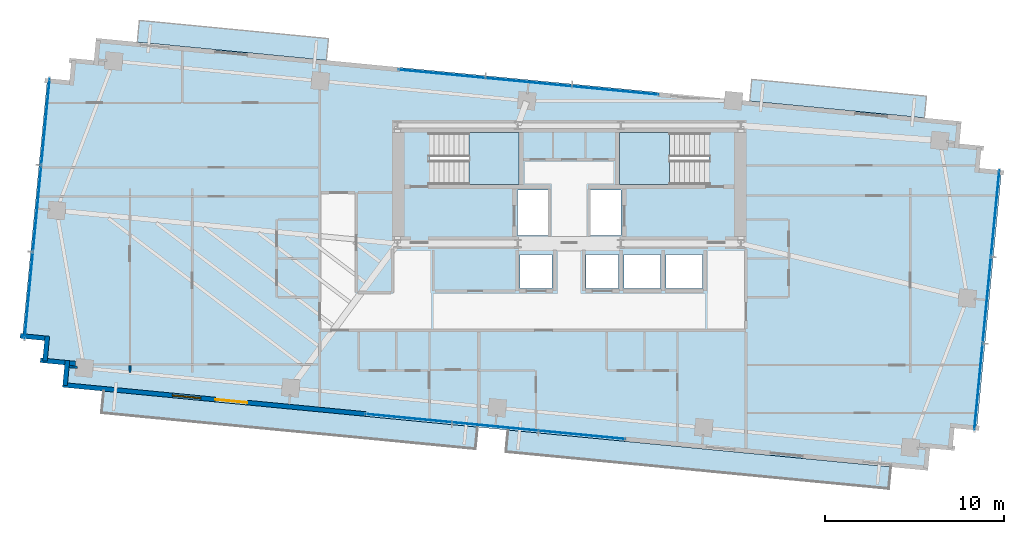
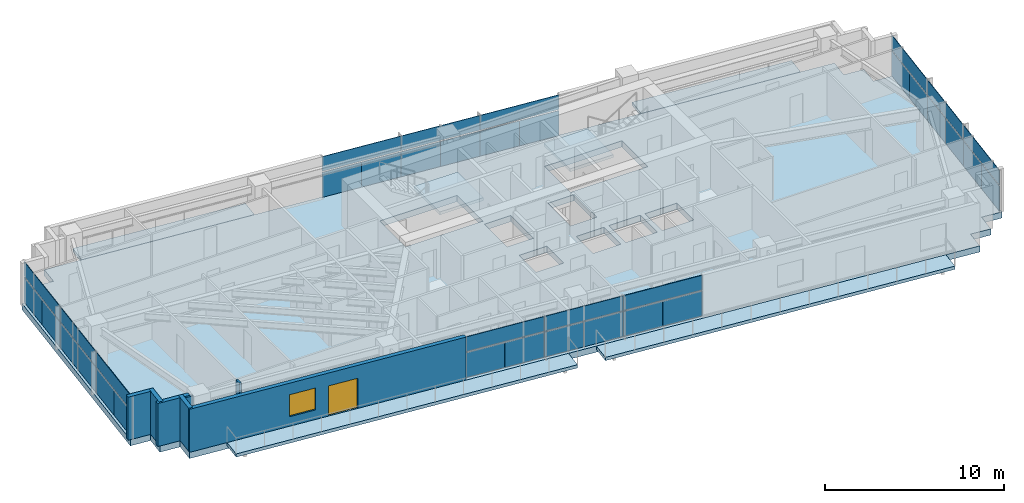
# One storey, part 13 of 19: 36 plates, 7 slabs, 7 walls, 1 door, 1 window, 2 openings, 6 elements without a shape of their own.
"""IFC4 building model written with IfcOpenShell, lengths in metres."""

from ifc_helpers import new_model, si_unit, direction, frame, frame_2d, origin, origin_2d, place, context, subcontext, project, spatial, polyline, rectangle, outline, extrude, source, transform, mapped, material, layer, layer_set, type_object, type_shapes, element, fill, aggregate, save


model = new_model("IFC4")

# Units and contexts
model_context = context("Model", 3, precision=1e-05, world=origin(), true_north=direction((0.0, 1.0)))
body_context = subcontext(model_context, "Body", "Model", "MODEL_VIEW")
ifc_project = project(units=[si_unit("LENGTHUNIT", "METRE"), si_unit("AREAUNIT", "SQUARE_METRE"), si_unit("VOLUMEUNIT", "CUBIC_METRE"), si_unit("PLANEANGLEUNIT", "RADIAN"), si_unit("MASSUNIT", "GRAM", prefix="KILO")], contexts=[model_context])

# Site, building, storey
site_placement = place(None, origin())
site = spatial("IfcSite", under=ifc_project, at=site_placement, CompositionType="ELEMENT")
building_placement = place(site_placement, origin())
building = spatial("IfcBuilding", under=site, at=building_placement, Name="Astriad Promenade Condominiums", CompositionType="ELEMENT")
storey_placement = place(building_placement, frame((0.0, 0.0, 124.60009765625)))
storey = spatial("IfcBuildingStorey", under=building, at=storey_placement, Name="L35", CompositionType="ELEMENT", Elevation=124.60009765625)

# Slab
ifc_material_1 = material(Name="Concrete C60/75", Category="concrete")
ifc_layer_1 = layer(ifc_material_1, 0.419921875)
ifc_layer_set_1 = layer_set([ifc_layer_1], Name="Concrete C60/75")
slab_type_1 = type_object("IfcSlabType", Name="CONCRETE TRANSFER FLOOR SLAB 420", PredefinedType="FLOOR", material=ifc_layer_set_1)
slab_1_placement = place(storey_placement, frame((0.0, 0.0, -0.420166015625)))
element("IfcSlab", 1, at=slab_1_placement, inside=storey, type_object=slab_type_1, Name="Structural Floor Slab (L35)", PredefinedType="FLOOR", context=body_context, shape_type="SweptSolid", body=[
    extrude(outline(polyline([(7.672607421875, 9.374267578125), (56.048828125, 4.716064453125), (56.168701171875, 5.960205078125), (57.412841796875, 5.840576171875), (57.53271484375, 7.084716796875), (58.77685546875, 6.96484375), (60.17626953125, 21.497802734375), (58.931884765625, 21.617431640625), (59.052001953125, 22.86181640625), (57.8076171875, 22.981689453125), (57.927490234375, 24.225830078125), (9.55126953125, 28.8837890625), (9.431396484375, 27.6396484375), (8.18701171875, 27.759521484375), (8.0673828125, 26.515380859375), (6.822998046875, 26.635009765625), (5.423583984375, 12.102294921875), (6.66796875, 11.982421875), (6.548095703125, 10.73828125), (7.79248046875, 10.618408203125), (7.672607421875, 9.374267578125)]), holes=[polyline([(28.175048828125, 20.699951171875), (33.175048828125, 20.699951171875), (33.175048828125, 23.60009765625), (28.175048828125, 23.60009765625), (28.175048828125, 20.699951171875)]), polyline([(38.824951171875, 20.699951171875), (43.824951171875, 20.699951171875), (43.824951171875, 23.60009765625), (38.824951171875, 23.60009765625), (38.824951171875, 20.699951171875)]), polyline([(33.10009765625, 17.85009765625), (34.800048828125, 17.85009765625), (34.800048828125, 20.39990234375), (33.10009765625, 20.39990234375), (33.10009765625, 17.85009765625)]), polyline([(37.199951171875, 17.85009765625), (38.89990234375, 17.85009765625), (38.89990234375, 20.39990234375), (37.199951171875, 20.39990234375), (37.199951171875, 17.85009765625)]), polyline([(33.25, 14.89990234375), (35.050048828125, 14.89990234375), (35.050048828125, 16.800048828125), (33.25, 16.800048828125), (33.25, 14.89990234375)]), polyline([(36.949951171875, 14.89990234375), (38.75, 14.89990234375), (38.75, 16.800048828125), (36.949951171875, 16.800048828125), (36.949951171875, 14.89990234375)]), polyline([(39.050048828125, 14.89990234375), (41.10009765625, 14.89990234375), (41.10009765625, 16.800048828125), (39.050048828125, 16.800048828125), (39.050048828125, 14.89990234375)]), polyline([(41.39990234375, 14.89990234375), (43.449951171875, 14.89990234375), (43.449951171875, 16.800048828125), (41.39990234375, 16.800048828125), (41.39990234375, 14.89990234375)])]), origin(), (0.0, 0.0, 1.0), 0.420166015625),
])

# Stair, slab
ifc_material_2 = material(Name="Concrete C50/60", Category="concrete")
stair_type = type_object("IfcStairType", Name="STR-CORE-1350", PredefinedType="HALF_TURN_STAIR", material=ifc_material_2)
stair_1_placement = place(storey_placement, origin())
stair_1 = element("IfcStair", 2, at=stair_1_placement, inside=storey, type_object=stair_type, Name="L35 Enclosed Core Exit Stair ST-1", PredefinedType="HALF_TURN_STAIR")
ifc_layer_2 = layer(ifc_material_2, 0.219970703125)
ifc_layer_set_2 = layer_set([ifc_layer_2], Name="Concrete C50/60")
slab_type_2 = type_object("IfcSlabType", Name="SLB-LANDING-220", PredefinedType="LANDING", material=ifc_layer_set_2)
slab_2_placement = place(storey_placement, frame((0.0, 0.0, 1.39990234375)))
slab_2 = element("IfcSlab", 3, at=slab_2_placement, type_object=slab_type_2, Name="ST-1 landing 1", PredefinedType="LANDING", context=body_context, shape_type="SweptSolid", body=[
    extrude(outline(polyline([(30.389892578125, 20.699951171875), (33.199951171875, 20.699951171875), (33.199951171875, 23.60009765625), (30.389892578125, 23.60009765625), (30.389892578125, 20.699951171875)])), origin(), (0.0, 0.0, 1.0), 0.199951171875),
])
aggregate(stair_1, [slab_2])

stair_2_placement = place(storey_placement, origin())
stair_2 = element("IfcStair", 4, at=stair_2_placement, inside=storey, type_object=stair_type, Name="L35 Enclosed Core Exit Stair ST-2", PredefinedType="HALF_TURN_STAIR")
slab_3_placement = place(storey_placement, frame((0.0, 0.0, 1.39990234375)))
slab_3 = element("IfcSlab", 5, at=slab_3_placement, type_object=slab_type_2, Name="ST-2 landing 1", PredefinedType="LANDING", context=body_context, shape_type="SweptSolid", body=[
    extrude(outline(polyline([(41.610107421875, 23.60009765625), (38.800048828125, 23.60009765625), (38.800048828125, 20.699951171875), (41.610107421875, 20.699951171875), (41.610107421875, 23.60009765625)])), origin(), (0.0, 0.0, 1.0), 0.199951171875),
])
aggregate(stair_2, [slab_3])

# Slabs
ifc_material_3 = material(Name="Precast concrete C50/60", Category="concrete")
ifc_layer_3 = layer(ifc_material_3, 0.219970703125)
ifc_layer_set_3 = layer_set([ifc_layer_3], Name="Precast concrete C50/60")
slab_type_3 = type_object("IfcSlabType", Name="WHITE PRECAST CONCRETE WAVE BALCONY SLAB 220", PredefinedType="FLOOR", material=ifc_layer_set_3)
slab_4_placement = place(storey_placement, frame((0.0, 0.0, -0.22021484375)))
element("IfcSlab", 6, at=slab_4_placement, inside=storey, type_object=slab_type_3, Name="White Precast Wave Balcony Slab BAL-L35-SW", PredefinedType="FLOOR", context=body_context, shape_type="SweptSolid", body=[
    extrude(outline(polyline([(9.85595703125, 7.938232421875), (30.75439453125, 5.926025390625), (30.871337890625, 7.140380859375), (9.972900390625, 9.152587890625), (9.85595703125, 7.938232421875)])), origin(), (0.0, 0.0, 1.0), 0.22021484375),
])
slab_5_placement = place(storey_placement, frame((0.0, 0.0, -0.22021484375)))
element("IfcSlab", 7, at=slab_5_placement, inside=storey, type_object=slab_type_3, Name="White Precast Wave Balcony Slab BAL-L35-SE", PredefinedType="FLOOR", context=body_context, shape_type="SweptSolid", body=[
    extrude(outline(polyline([(32.46240234375, 5.761474609375), (53.8583984375, 3.701416015625), (53.975341796875, 4.915771484375), (32.579345703125, 6.975830078125), (32.46240234375, 5.761474609375)])), origin(), (0.0, 0.0, 1.0), 0.22021484375),
])
slab_6_placement = place(storey_placement, frame((0.0, 0.0, -0.22021484375)))
element("IfcSlab", 8, at=slab_6_placement, inside=storey, type_object=slab_type_3, Name="White Precast Wave Balcony Slab BAL-L35-NW", PredefinedType="FLOOR", context=body_context, shape_type="SweptSolid", body=[
    extrude(outline(polyline([(11.968505859375, 29.876708984375), (22.53857421875, 28.85888671875), (22.421875, 27.646484375), (11.851806640625, 28.664306640625), (11.968505859375, 29.876708984375)])), origin(), (0.0, 0.0, 1.0), 0.22021484375),
])
slab_7_placement = place(storey_placement, frame((0.0, 0.0, -0.22021484375)))
element("IfcSlab", 9, at=slab_7_placement, inside=storey, type_object=slab_type_3, Name="White Precast Wave Balcony Slab BAL-L35-NE", PredefinedType="FLOOR", context=body_context, shape_type="SweptSolid", body=[
    extrude(outline(polyline([(46.208984375, 26.579833984375), (55.970947265625, 25.639892578125), (55.854248046875, 24.427490234375), (46.09228515625, 25.367431640625), (46.208984375, 26.579833984375)])), origin(), (0.0, 0.0, 1.0), 0.22021484375),
])

# Curtain wall, plates
ifc_material_4 = material(Name="Anodised aluminium Black Dark Glass Unitised", Category="aluminium")
curtain_wall_type = type_object("IfcCurtainWallType", Name="CW-B34-DARK", PredefinedType="USERDEFINED", material=ifc_material_4)
curtain_wall_1_placement = place(storey_placement, origin())
curtain_wall_1 = element("IfcCurtainWall", 10, at=curtain_wall_1_placement, inside=storey, type_object=curtain_wall_type, Name="CW-L35-W", ObjectType="UNITISED_CURTAIN_WALL", PredefinedType="USERDEFINED")
ifc_material_5 = material(Name="Dark Tinted Low-E Laminated Glass", Category="glass")
ifc_layer_4 = layer(ifc_material_5, 0.035888671875)
ifc_layer_set_4 = layer_set([ifc_layer_4], Name="Dark Tinted Low-E Laminated Glass")
plate_type = type_object("IfcPlateType", Name="PNL-DARK-GLASS-36", PredefinedType="CURTAIN_PANEL", material=ifc_layer_set_4)
shared_shape_1 = source(origin(), body_context, "Body", "SweptSolid", [
    extrude(rectangle(XDim=2.42138671875, YDim=0.035888671875, at=origin_2d()), origin(), (0.0, 0.0, 1.0), 1.702880859375),
])
plate_1_placement = place(storey_placement, frame((5.669677734375, 13.30078125, 0.080078125), z_axis=(0.0, 0.0, 1.0), x_axis=(0.09584575252, 0.995396198367, 0.0)))
plate_1 = element("IfcPlate", 11, at=plate_1_placement, type_object=plate_type, Name="CW-L35-W-PNL-00-VL", PredefinedType="CURTAIN_PANEL", context=body_context, shape_type="MappedRepresentation", body=[
    mapped(shared_shape_1, transform((0.0, 0.0, 0.0), scale=1.0)),
])
plate_2_placement = place(storey_placement, frame((5.903076171875, 15.722900390625, 0.080078125), z_axis=(0.0, 0.0, 1.0), x_axis=(0.09584575252, 0.995396198367, 0.0)))
plate_2 = element("IfcPlate", 12, at=plate_2_placement, type_object=plate_type, Name="CW-L35-W-PNL-00-VR", PredefinedType="CURTAIN_PANEL", context=body_context, shape_type="MappedRepresentation", body=[
    mapped(shared_shape_1, transform((0.0, 0.0, 0.0), scale=1.0)),
])
plate_3_placement = place(storey_placement, frame((6.13623046875, 18.145263671875, 0.080078125), z_axis=(0.0, 0.0, 1.0), x_axis=(0.09584575252, 0.995396198367, 0.0)))
plate_3 = element("IfcPlate", 13, at=plate_3_placement, type_object=plate_type, Name="CW-L35-W-PNL-01-VL", PredefinedType="CURTAIN_PANEL", context=body_context, shape_type="MappedRepresentation", body=[
    mapped(shared_shape_1, transform((0.0, 0.0, 0.0), scale=1.0)),
])
plate_4_placement = place(storey_placement, frame((6.369384765625, 20.5673828125, 0.080078125), z_axis=(0.0, 0.0, 1.0), x_axis=(0.09584575252, 0.995396198367, 0.0)))
plate_4 = element("IfcPlate", 14, at=plate_4_placement, type_object=plate_type, Name="CW-L35-W-PNL-01-VR", PredefinedType="CURTAIN_PANEL", context=body_context, shape_type="MappedRepresentation", body=[
    mapped(shared_shape_1, transform((0.0, 0.0, 0.0), scale=1.0)),
])
plate_5_placement = place(storey_placement, frame((6.6025390625, 22.989501953125, 0.080078125), z_axis=(0.0, 0.0, 1.0), x_axis=(0.09584575252, 0.995396198367, 0.0)))
plate_5 = element("IfcPlate", 15, at=plate_5_placement, type_object=plate_type, Name="CW-L35-W-PNL-02-VL", PredefinedType="CURTAIN_PANEL", context=body_context, shape_type="MappedRepresentation", body=[
    mapped(shared_shape_1, transform((0.0, 0.0, 0.0), scale=1.0)),
])
plate_6_placement = place(storey_placement, frame((6.8359375, 25.41162109375, 0.080078125), z_axis=(0.0, 0.0, 1.0), x_axis=(0.09584575252, 0.995396198367, 0.0)))
plate_6 = element("IfcPlate", 16, at=plate_6_placement, type_object=plate_type, Name="CW-L35-W-PNL-02-VR", PredefinedType="CURTAIN_PANEL", context=body_context, shape_type="MappedRepresentation", body=[
    mapped(shared_shape_1, transform((0.0, 0.0, 0.0), scale=1.0)),
])

curtain_wall_2_placement = place(storey_placement, origin())
curtain_wall_2 = element("IfcCurtainWall", 17, at=curtain_wall_2_placement, inside=storey, type_object=curtain_wall_type, Name="CW-L35-E", ObjectType="UNITISED_CURTAIN_WALL", PredefinedType="USERDEFINED")
plate_7_placement = place(storey_placement, frame((59.930419921875, 20.299072265625, 0.080078125), z_axis=(0.0, 0.0, 1.0), x_axis=(-0.09584575252, -0.995396198367, 0.0)))
plate_7 = element("IfcPlate", 18, at=plate_7_placement, type_object=plate_type, Name="CW-L35-E-PNL-00-VL", PredefinedType="CURTAIN_PANEL", context=body_context, shape_type="MappedRepresentation", body=[
    mapped(shared_shape_1, transform((0.0, 0.0, 0.0), scale=1.0)),
])
plate_8_placement = place(storey_placement, frame((59.697021484375, 17.876953125, 0.080078125), z_axis=(0.0, 0.0, 1.0), x_axis=(-0.09584575252, -0.995396198367, 0.0)))
plate_8 = element("IfcPlate", 19, at=plate_8_placement, type_object=plate_type, Name="CW-L35-E-PNL-00-VR", PredefinedType="CURTAIN_PANEL", context=body_context, shape_type="MappedRepresentation", body=[
    mapped(shared_shape_1, transform((0.0, 0.0, 0.0), scale=1.0)),
])
plate_9_placement = place(storey_placement, frame((59.4638671875, 15.454833984375, 0.080078125), z_axis=(0.0, 0.0, 1.0), x_axis=(-0.09584575252, -0.995396198367, 0.0)))
plate_9 = element("IfcPlate", 20, at=plate_9_placement, type_object=plate_type, Name="CW-L35-E-PNL-01-VL", PredefinedType="CURTAIN_PANEL", context=body_context, shape_type="MappedRepresentation", body=[
    mapped(shared_shape_1, transform((0.0, 0.0, 0.0), scale=1.0)),
])
plate_10_placement = place(storey_placement, frame((59.230712890625, 13.03271484375, 0.080078125), z_axis=(0.0, 0.0, 1.0), x_axis=(-0.09584575252, -0.995396198367, 0.0)))
plate_10 = element("IfcPlate", 21, at=plate_10_placement, type_object=plate_type, Name="CW-L35-E-PNL-01-VR", PredefinedType="CURTAIN_PANEL", context=body_context, shape_type="MappedRepresentation", body=[
    mapped(shared_shape_1, transform((0.0, 0.0, 0.0), scale=1.0)),
])
plate_11_placement = place(storey_placement, frame((58.997314453125, 10.610595703125, 0.080078125), z_axis=(0.0, 0.0, 1.0), x_axis=(-0.09584575252, -0.995396198367, 0.0)))
plate_11 = element("IfcPlate", 22, at=plate_11_placement, type_object=plate_type, Name="CW-L35-E-PNL-02-VL", PredefinedType="CURTAIN_PANEL", context=body_context, shape_type="MappedRepresentation", body=[
    mapped(shared_shape_1, transform((0.0, 0.0, 0.0), scale=1.0)),
])
plate_12_placement = place(storey_placement, frame((58.76416015625, 8.1884765625, 0.080078125), z_axis=(0.0, 0.0, 1.0), x_axis=(-0.09584575252, -0.995396198367, 0.0)))
plate_12 = element("IfcPlate", 23, at=plate_12_placement, type_object=plate_type, Name="CW-L35-E-PNL-02-VR", PredefinedType="CURTAIN_PANEL", context=body_context, shape_type="MappedRepresentation", body=[
    mapped(shared_shape_1, transform((0.0, 0.0, 0.0), scale=1.0)),
])

# Plate
shared_shape_2 = source(origin(), body_context, "Body", "SweptSolid", [
    extrude(rectangle(XDim=4.854736328125, YDim=0.035888671875, at=origin_2d()), origin(), (0.0, 0.0, 1.0), 0.997314453125),
])
plate_13_placement = place(storey_placement, frame((5.786376953125, 14.511962890625, 1.86279296875), z_axis=(0.0, 0.0, 1.0), x_axis=(0.09584575252, 0.995396198367, 0.0)))
plate_13 = element("IfcPlate", 24, at=plate_13_placement, type_object=plate_type, Name="CW-L35-W-PNL-00-S", PredefinedType="CURTAIN_PANEL", context=body_context, shape_type="MappedRepresentation", body=[
    mapped(shared_shape_2, transform((0.0, 0.0, 0.0), scale=1.0)),
])

plate_14_placement = place(storey_placement, frame((6.252685546875, 19.356201171875, 1.86279296875), z_axis=(0.0, 0.0, 1.0), x_axis=(0.09584575252, 0.995396198367, 0.0)))
plate_14 = element("IfcPlate", 25, at=plate_14_placement, type_object=plate_type, Name="CW-L35-W-PNL-01-S", PredefinedType="CURTAIN_PANEL", context=body_context, shape_type="MappedRepresentation", body=[
    mapped(shared_shape_2, transform((0.0, 0.0, 0.0), scale=1.0)),
])

plate_15_placement = place(storey_placement, frame((6.71923828125, 24.200439453125, 1.86279296875), z_axis=(0.0, 0.0, 1.0), x_axis=(0.09584575252, 0.995396198367, 0.0)))
plate_15 = element("IfcPlate", 26, at=plate_15_placement, type_object=plate_type, Name="CW-L35-W-PNL-02-S", PredefinedType="CURTAIN_PANEL", context=body_context, shape_type="MappedRepresentation", body=[
    mapped(shared_shape_2, transform((0.0, 0.0, 0.0), scale=1.0)),
])

aggregate(curtain_wall_1, [plate_1, plate_2, plate_13, plate_3, plate_4, plate_14, plate_5, plate_6, plate_15])

plate_16_placement = place(storey_placement, frame((59.813720703125, 19.088134765625, 1.86279296875), z_axis=(0.0, 0.0, 1.0), x_axis=(-0.09584575252, -0.995396198367, 0.0)))
plate_16 = element("IfcPlate", 27, at=plate_16_placement, type_object=plate_type, Name="CW-L35-E-PNL-00-S", PredefinedType="CURTAIN_PANEL", context=body_context, shape_type="MappedRepresentation", body=[
    mapped(shared_shape_2, transform((0.0, 0.0, 0.0), scale=1.0)),
])

plate_17_placement = place(storey_placement, frame((59.34716796875, 14.243896484375, 1.86279296875), z_axis=(0.0, 0.0, 1.0), x_axis=(-0.09584575252, -0.995396198367, 0.0)))
plate_17 = element("IfcPlate", 28, at=plate_17_placement, type_object=plate_type, Name="CW-L35-E-PNL-01-S", PredefinedType="CURTAIN_PANEL", context=body_context, shape_type="MappedRepresentation", body=[
    mapped(shared_shape_2, transform((0.0, 0.0, 0.0), scale=1.0)),
])

plate_18_placement = place(storey_placement, frame((58.880615234375, 9.3994140625, 1.86279296875), z_axis=(0.0, 0.0, 1.0), x_axis=(-0.09584575252, -0.995396198367, 0.0)))
plate_18 = element("IfcPlate", 29, at=plate_18_placement, type_object=plate_type, Name="CW-L35-E-PNL-02-S", PredefinedType="CURTAIN_PANEL", context=body_context, shape_type="MappedRepresentation", body=[
    mapped(shared_shape_2, transform((0.0, 0.0, 0.0), scale=1.0)),
])

aggregate(curtain_wall_2, [plate_7, plate_8, plate_16, plate_9, plate_10, plate_17, plate_11, plate_12, plate_18])

# Curtain wall, plates
curtain_wall_3_placement = place(storey_placement, origin())
curtain_wall_3 = element("IfcCurtainWall", 30, at=curtain_wall_3_placement, inside=storey, type_object=curtain_wall_type, Name="CW-L35-N", ObjectType="UNITISED_CURTAIN_WALL", PredefinedType="USERDEFINED")
shared_shape_3 = source(origin(), body_context, "Body", "SweptSolid", [
    extrude(rectangle(XDim=2.41796875, YDim=0.035888671875, at=origin_2d()), origin(), (0.0, 0.0, 1.0), 1.702880859375),
])
plate_19_placement = place(storey_placement, frame((27.6796875, 27.0078125, 0.080078125), z_axis=(0.0, 0.0, 1.0), x_axis=(0.995396198367, -0.09584575252, 0.0)))
plate_19 = element("IfcPlate", 31, at=plate_19_placement, type_object=plate_type, Name="CW-L35-N-PNL-00-VL", PredefinedType="CURTAIN_PANEL", context=body_context, shape_type="MappedRepresentation", body=[
    mapped(shared_shape_3, transform((0.0, 0.0, 0.0), scale=1.0)),
])
plate_20_placement = place(storey_placement, frame((30.0986328125, 26.77490234375, 0.080078125), z_axis=(0.0, 0.0, 1.0), x_axis=(0.995396198367, -0.09584575252, 0.0)))
plate_20 = element("IfcPlate", 32, at=plate_20_placement, type_object=plate_type, Name="CW-L35-N-PNL-00-VR", PredefinedType="CURTAIN_PANEL", context=body_context, shape_type="MappedRepresentation", body=[
    mapped(shared_shape_3, transform((0.0, 0.0, 0.0), scale=1.0)),
])
plate_21_placement = place(storey_placement, frame((32.517333984375, 26.5419921875, 0.080078125), z_axis=(0.0, 0.0, 1.0), x_axis=(0.995396198367, -0.09584575252, 0.0)))
plate_21 = element("IfcPlate", 33, at=plate_21_placement, type_object=plate_type, Name="CW-L35-N-PNL-01-VL", PredefinedType="CURTAIN_PANEL", context=body_context, shape_type="MappedRepresentation", body=[
    mapped(shared_shape_3, transform((0.0, 0.0, 0.0), scale=1.0)),
])
plate_22_placement = place(storey_placement, frame((34.936279296875, 26.30908203125, 0.080078125), z_axis=(0.0, 0.0, 1.0), x_axis=(0.995396198367, -0.09584575252, 0.0)))
plate_22 = element("IfcPlate", 34, at=plate_22_placement, type_object=plate_type, Name="CW-L35-N-PNL-01-VR", PredefinedType="CURTAIN_PANEL", context=body_context, shape_type="MappedRepresentation", body=[
    mapped(shared_shape_3, transform((0.0, 0.0, 0.0), scale=1.0)),
])
plate_23_placement = place(storey_placement, frame((37.35498046875, 26.075927734375, 0.080078125), z_axis=(0.0, 0.0, 1.0), x_axis=(0.995396198367, -0.09584575252, 0.0)))
plate_23 = element("IfcPlate", 35, at=plate_23_placement, type_object=plate_type, Name="CW-L35-N-PNL-02-VL", PredefinedType="CURTAIN_PANEL", context=body_context, shape_type="MappedRepresentation", body=[
    mapped(shared_shape_3, transform((0.0, 0.0, 0.0), scale=1.0)),
])
plate_24_placement = place(storey_placement, frame((39.77392578125, 25.84326171875, 0.080078125), z_axis=(0.0, 0.0, 1.0), x_axis=(0.995396198367, -0.09584575252, 0.0)))
plate_24 = element("IfcPlate", 36, at=plate_24_placement, type_object=plate_type, Name="CW-L35-N-PNL-02-VR", PredefinedType="CURTAIN_PANEL", context=body_context, shape_type="MappedRepresentation", body=[
    mapped(shared_shape_3, transform((0.0, 0.0, 0.0), scale=1.0)),
])

curtain_wall_4_placement = place(storey_placement, origin())
curtain_wall_4 = element("IfcCurtainWall", 37, at=curtain_wall_4_placement, inside=storey, type_object=curtain_wall_type, Name="CW-L35-S", ObjectType="UNITISED_CURTAIN_WALL", PredefinedType="USERDEFINED")
plate_25_placement = place(storey_placement, frame((37.920166015625, 6.59228515625, 0.080078125), z_axis=(0.0, 0.0, 1.0), x_axis=(-0.995396198367, 0.09584575252, 0.0)))
plate_25 = element("IfcPlate", 38, at=plate_25_placement, type_object=plate_type, Name="CW-L35-S-PNL-00-VL", PredefinedType="CURTAIN_PANEL", context=body_context, shape_type="MappedRepresentation", body=[
    mapped(shared_shape_3, transform((0.0, 0.0, 0.0), scale=1.0)),
])
plate_26_placement = place(storey_placement, frame((35.50146484375, 6.8251953125, 0.080078125), z_axis=(0.0, 0.0, 1.0), x_axis=(-0.995396198367, 0.09584575252, 0.0)))
plate_26 = element("IfcPlate", 39, at=plate_26_placement, type_object=plate_type, Name="CW-L35-S-PNL-00-VR", PredefinedType="CURTAIN_PANEL", context=body_context, shape_type="MappedRepresentation", body=[
    mapped(shared_shape_3, transform((0.0, 0.0, 0.0), scale=1.0)),
])
plate_27_placement = place(storey_placement, frame((33.08251953125, 7.05810546875, 0.080078125), z_axis=(0.0, 0.0, 1.0), x_axis=(-0.995396198367, 0.09584575252, 0.0)))
plate_27 = element("IfcPlate", 40, at=plate_27_placement, type_object=plate_type, Name="CW-L35-S-PNL-01-VL", PredefinedType="CURTAIN_PANEL", context=body_context, shape_type="MappedRepresentation", body=[
    mapped(shared_shape_3, transform((0.0, 0.0, 0.0), scale=1.0)),
])
plate_28_placement = place(storey_placement, frame((30.663818359375, 7.291015625, 0.080078125), z_axis=(0.0, 0.0, 1.0), x_axis=(-0.995396198367, 0.09584575252, 0.0)))
plate_28 = element("IfcPlate", 41, at=plate_28_placement, type_object=plate_type, Name="CW-L35-S-PNL-01-VR", PredefinedType="CURTAIN_PANEL", context=body_context, shape_type="MappedRepresentation", body=[
    mapped(shared_shape_3, transform((0.0, 0.0, 0.0), scale=1.0)),
])
plate_29_placement = place(storey_placement, frame((28.244873046875, 7.52392578125, 0.080078125), z_axis=(0.0, 0.0, 1.0), x_axis=(-0.995396198367, 0.09584575252, 0.0)))
plate_29 = element("IfcPlate", 42, at=plate_29_placement, type_object=plate_type, Name="CW-L35-S-PNL-02-VL", PredefinedType="CURTAIN_PANEL", context=body_context, shape_type="MappedRepresentation", body=[
    mapped(shared_shape_3, transform((0.0, 0.0, 0.0), scale=1.0)),
])
plate_30_placement = place(storey_placement, frame((25.826171875, 7.7568359375, 0.080078125), z_axis=(0.0, 0.0, 1.0), x_axis=(-0.995396198367, 0.09584575252, 0.0)))
plate_30 = element("IfcPlate", 43, at=plate_30_placement, type_object=plate_type, Name="CW-L35-S-PNL-02-VR", PredefinedType="CURTAIN_PANEL", context=body_context, shape_type="MappedRepresentation", body=[
    mapped(shared_shape_3, transform((0.0, 0.0, 0.0), scale=1.0)),
])

# Plate
shared_shape_4 = source(origin(), body_context, "Body", "SweptSolid", [
    extrude(rectangle(XDim=4.847900390625, YDim=0.035888671875, at=origin_2d()), origin(), (0.0, 0.0, 1.0), 0.997314453125),
])
type_shapes(plate_type, [shared_shape_1, shared_shape_2, shared_shape_3, shared_shape_4])
plate_31_placement = place(storey_placement, frame((28.88916015625, 26.891357421875, 1.86279296875), z_axis=(0.0, 0.0, 1.0), x_axis=(0.995396198367, -0.09584575252, 0.0)))
plate_31 = element("IfcPlate", 44, at=plate_31_placement, type_object=plate_type, Name="CW-L35-N-PNL-00-S", PredefinedType="CURTAIN_PANEL", context=body_context, shape_type="MappedRepresentation", body=[
    mapped(shared_shape_4, transform((0.0, 0.0, 0.0), scale=1.0)),
])

plate_32_placement = place(storey_placement, frame((33.726806640625, 26.42529296875, 1.86279296875), z_axis=(0.0, 0.0, 1.0), x_axis=(0.995396198367, -0.09584575252, 0.0)))
plate_32 = element("IfcPlate", 45, at=plate_32_placement, type_object=plate_type, Name="CW-L35-N-PNL-01-S", PredefinedType="CURTAIN_PANEL", context=body_context, shape_type="MappedRepresentation", body=[
    mapped(shared_shape_4, transform((0.0, 0.0, 0.0), scale=1.0)),
])

plate_33_placement = place(storey_placement, frame((38.564453125, 25.959716796875, 1.86279296875), z_axis=(0.0, 0.0, 1.0), x_axis=(0.995396198367, -0.09584575252, 0.0)))
plate_33 = element("IfcPlate", 46, at=plate_33_placement, type_object=plate_type, Name="CW-L35-N-PNL-02-S", PredefinedType="CURTAIN_PANEL", context=body_context, shape_type="MappedRepresentation", body=[
    mapped(shared_shape_4, transform((0.0, 0.0, 0.0), scale=1.0)),
])

aggregate(curtain_wall_3, [plate_19, plate_20, plate_31, plate_21, plate_22, plate_32, plate_23, plate_24, plate_33])

plate_34_placement = place(storey_placement, frame((36.710693359375, 6.708740234375, 1.86279296875), z_axis=(0.0, 0.0, 1.0), x_axis=(-0.995396198367, 0.09584575252, 0.0)))
plate_34 = element("IfcPlate", 47, at=plate_34_placement, type_object=plate_type, Name="CW-L35-S-PNL-00-S", PredefinedType="CURTAIN_PANEL", context=body_context, shape_type="MappedRepresentation", body=[
    mapped(shared_shape_4, transform((0.0, 0.0, 0.0), scale=1.0)),
])

plate_35_placement = place(storey_placement, frame((31.873291015625, 7.174560546875, 1.86279296875), z_axis=(0.0, 0.0, 1.0), x_axis=(-0.995396198367, 0.09584575252, 0.0)))
plate_35 = element("IfcPlate", 48, at=plate_35_placement, type_object=plate_type, Name="CW-L35-S-PNL-01-S", PredefinedType="CURTAIN_PANEL", context=body_context, shape_type="MappedRepresentation", body=[
    mapped(shared_shape_4, transform((0.0, 0.0, 0.0), scale=1.0)),
])

plate_36_placement = place(storey_placement, frame((27.035400390625, 7.640380859375, 1.86279296875), z_axis=(0.0, 0.0, 1.0), x_axis=(-0.995396198367, 0.09584575252, 0.0)))
plate_36 = element("IfcPlate", 49, at=plate_36_placement, type_object=plate_type, Name="CW-L35-S-PNL-02-S", PredefinedType="CURTAIN_PANEL", context=body_context, shape_type="MappedRepresentation", body=[
    mapped(shared_shape_4, transform((0.0, 0.0, 0.0), scale=1.0)),
])

aggregate(curtain_wall_4, [plate_25, plate_26, plate_34, plate_27, plate_28, plate_35, plate_29, plate_30, plate_36])

# Walls
ifc_layer_5 = layer(ifc_material_3, 0.260009765625)
ifc_layer_set_5 = layer_set([ifc_layer_5], Name="Precast concrete C50/60")
wall_type_1 = type_object("IfcWallType", Name="WALL-EXT-TWR-260", PredefinedType="STANDARD", material=ifc_layer_set_5)
wall_1_placement = place(storey_placement, frame((8.400146484375, 10.6904296875, 0.0), z_axis=(0.0, 0.0, 1.0), x_axis=(-0.995391147587, 0.095898192396, 0.0)))
element("IfcWall", 50, at=wall_1_placement, inside=storey, type_object=wall_type_1, Name="W-SER-L35-00", PredefinedType="STANDARD", context=body_context, shape_type="SweptSolid", body=[
    extrude(rectangle(XDim=1.97802734375, YDim=0.260009765625, at=frame_2d((0.989013671875, 0.0))), origin(), (0.0, 0.0, 1.0), 2.93994140625),
])
wall_2_placement = place(storey_placement, frame((6.6884765625, 10.840087890625, 0.0), z_axis=(0.0, 0.0, 1.0), x_axis=(0.09589913835, 0.995391056452, 0.0)))
element("IfcWall", 51, at=wall_2_placement, inside=storey, type_object=wall_type_1, Name="W-SER-L35-01", PredefinedType="STANDARD", context=body_context, shape_type="SweptSolid", body=[
    extrude(rectangle(XDim=1.39501953125, YDim=0.260009765625, at=frame_2d((0.697509765625, 0.0))), origin(), (0.0, 0.0, 1.0), 2.93994140625),
])
wall_3_placement = place(storey_placement, frame((6.6953125, 12.110595703125, 0.0), z_axis=(0.0, 0.0, 1.0), x_axis=(-0.99540614245, 0.095742423056, 0.0)))
element("IfcWall", 52, at=wall_3_placement, inside=storey, type_object=wall_type_1, Name="W-SER-L35-02", PredefinedType="STANDARD", context=body_context, shape_type="SweptSolid", body=[
    extrude(rectangle(XDim=1.394775390625, YDim=0.260009765625, at=frame_2d((0.697265625, 0.0))), origin(), (0.0, 0.0, 1.0), 2.93994140625),
])

# Wall, openings, door, window
wall_4_placement = place(storey_placement, frame((24.61669921875, 7.873291015625, 0.0), z_axis=(0.0, 0.0, 1.0), x_axis=(-0.995395976631, 0.095848055311, 0.0)))
wall_4 = element("IfcWall", 53, at=wall_4_placement, inside=storey, type_object=wall_type_1, Name="W-EXT-L35-S2", PredefinedType="STANDARD", context=body_context, shape_type="SweptSolid", body=[
    extrude(rectangle(XDim=17.010009765625, YDim=0.260009765625, at=frame_2d((8.5048828125, 0.0))), origin(), (0.0, 0.0, 1.0), 2.93994140625),
])
opening_1_placement = place(wall_4_placement, frame((6.64990234375, 0.0, 0.0)))
opening_1 = element("IfcOpeningElement", 54, at=opening_1_placement, cuts=wall_4, Name="Opening BD-1822-SLD", PredefinedType="OPENING", context=body_context, shape_type="SweptSolid", body=[
    extrude(rectangle(XDim=1.800048828125, YDim=2.06005859375, at=frame_2d((0.89990234375, 1.030029296875))), frame((0.0, 0.139892578125, 0.0), z_axis=(0.0, -1.0, 0.0), x_axis=(1.0, 0.0, 0.0)), (0.0, 0.0, 1.0), 0.280029296875),
])
opening_2_placement = place(wall_4_placement, frame((9.25, 0.0, 0.64990234375)))
opening_2 = element("IfcOpeningElement", 55, at=opening_2_placement, cuts=wall_4, Name="Opening WIN-TWR-1620", PredefinedType="OPENING", context=body_context, shape_type="SweptSolid", body=[
    extrude(rectangle(XDim=1.60009765625, YDim=1.5, at=frame_2d((0.800048828125, 0.75))), frame((0.0, 0.139892578125, 0.0), z_axis=(0.0, -1.0, 0.0), x_axis=(1.0, 0.0, 0.0)), (0.0, 0.0, 1.0), 0.280029296875),
])
ifc_material_6 = material(Name="Thermally Broken Aluminium Sliding Balcony Door", Category="aluminium")
door_type = type_object("IfcDoorType", Name="BD-1822-SLD", OperationType="NOTDEFINED", PredefinedType="DOOR", material=ifc_material_6)
shared_shape_5 = source(origin(), body_context, "Body", "SweptSolid", [
    extrude(rectangle(XDim=1.800048828125, YDim=2.06005859375, at=frame_2d((0.89990234375, 1.030029296875))), frame((0.0, 0.02490234375, 0.0), z_axis=(0.0, -1.0, 0.0), x_axis=(1.0, 0.0, 0.0)), (0.0, 0.0, 1.0), 0.050048828125),
])
type_shapes(door_type, [shared_shape_5])
door_placement = place(opening_1_placement, origin())
door = element("IfcDoor", 56, at=door_placement, inside=storey, type_object=door_type, Name="BD-L35-SW", OperationType="SLIDING_TO_LEFT", OverallHeight=2.06005859375, OverallWidth=1.800048828125, PredefinedType="DOOR", context=body_context, shape_type="MappedRepresentation", body=[
    mapped(shared_shape_5, transform((0.0, 0.0, 0.0), scale=1.0)),
])
fill(opening_1, door)
ifc_material_7 = material(Name="Dark Tinted Triple-Glazed Aluminium Window", Category="aluminium")
window_type = type_object("IfcWindowType", Name="WIN-TWR-1620", PartitioningType="SINGLE_PANEL", PredefinedType="WINDOW", material=ifc_material_7)
shared_shape_6 = source(origin(), body_context, "Body", "SweptSolid", [
    extrude(rectangle(XDim=1.60009765625, YDim=1.5, at=frame_2d((0.800048828125, 0.75))), frame((0.0, 0.030029296875, 0.0), z_axis=(0.0, -1.0, 0.0), x_axis=(1.0, 0.0, 0.0)), (0.0, 0.0, 1.0), 0.06005859375),
])
type_shapes(window_type, [shared_shape_6])
window_placement = place(opening_2_placement, origin())
window = element("IfcWindow", 57, at=window_placement, inside=storey, type_object=window_type, Name="WIN-L35-SW", OverallHeight=1.5, OverallWidth=1.60009765625, PartitioningType="SINGLE_PANEL", PredefinedType="WINDOW", context=body_context, shape_type="MappedRepresentation", body=[
    mapped(shared_shape_6, transform((0.0, 0.0, 0.0), scale=1.0)),
])
fill(opening_2, window)

# Walls
wall_5_placement = place(storey_placement, frame((7.81298828125, 9.476318359375, 0.0), z_axis=(0.0, 0.0, 1.0), x_axis=(0.095915846097, 0.995389446633, 0.0)))
element("IfcWall", 58, at=wall_5_placement, inside=storey, type_object=wall_type_1, Name="W-SER-L35-19", PredefinedType="STANDARD", context=body_context, shape_type="SweptSolid", body=[
    extrude(rectangle(XDim=1.394775390625, YDim=0.260009765625, at=frame_2d((0.697265625, 0.0))), origin(), (0.0, 0.0, 1.0), 2.93994140625),
])
ifc_material_8 = material(Name="Acoustic Metal-Stud Gypsum Partition")
ifc_layer_6 = layer(ifc_material_8, 0.1201171875)
ifc_layer_set_6 = layer_set([ifc_layer_6], Name="Acoustic Metal-Stud Gypsum Partition")
wall_type_2 = type_object("IfcWallType", Name="WALL-PART-120", PredefinedType="PARTITIONING", material=ifc_layer_set_6)
wall_6_placement = place(storey_placement, frame((11.43701171875, 10.198974609375, 0.0), z_axis=(0.0, 0.0, 1.0), x_axis=(0.0, 1.0, 0.0)))
element("IfcWall", 59, at=wall_6_placement, inside=storey, type_object=wall_type_2, Name="PT-L35-W1-WDV4", PredefinedType="PARTITIONING", context=body_context, shape_type="SweptSolid", body=[
    extrude(rectangle(XDim=0.3779296875, YDim=0.1201171875, at=frame_2d((0.18896484375, 0.0))), origin(), (0.0, 0.0, 1.0), 2.93994140625),
])
wall_7_placement = place(storey_placement, frame((8.502197265625, 10.479736328125, 0.0), z_axis=(0.0, 0.0, 1.0), x_axis=(-0.995384576284, 0.09596637586, 0.0)))
element("IfcWall", 60, at=wall_7_placement, inside=storey, type_object=wall_type_2, Name="PT-PIL-L35-PC01-8", PredefinedType="PARTITIONING", context=body_context, shape_type="SweptSolid", body=[
    extrude(rectangle(XDim=0.4580078125, YDim=0.1201171875, at=frame_2d((0.22900390625, 0.0))), origin(), (0.0, 0.0, 1.0), 2.93994140625),
])

save(model, "model.ifc")
